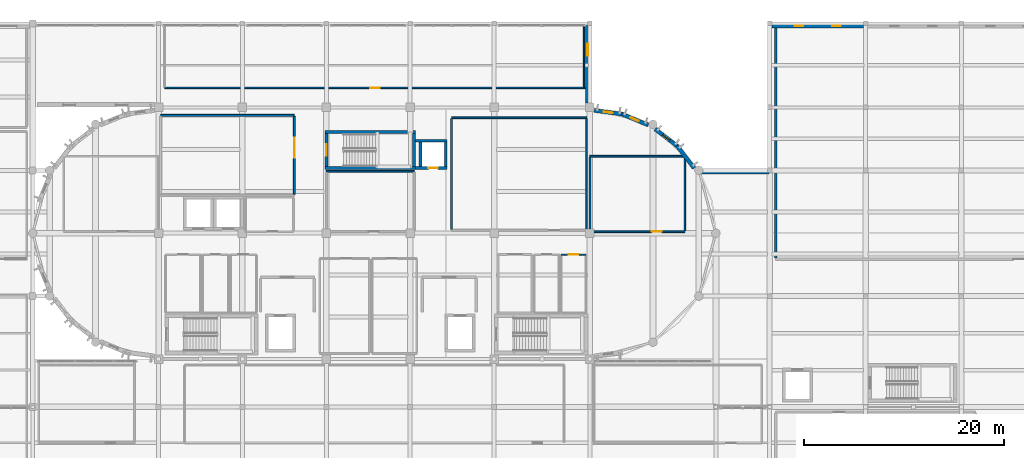
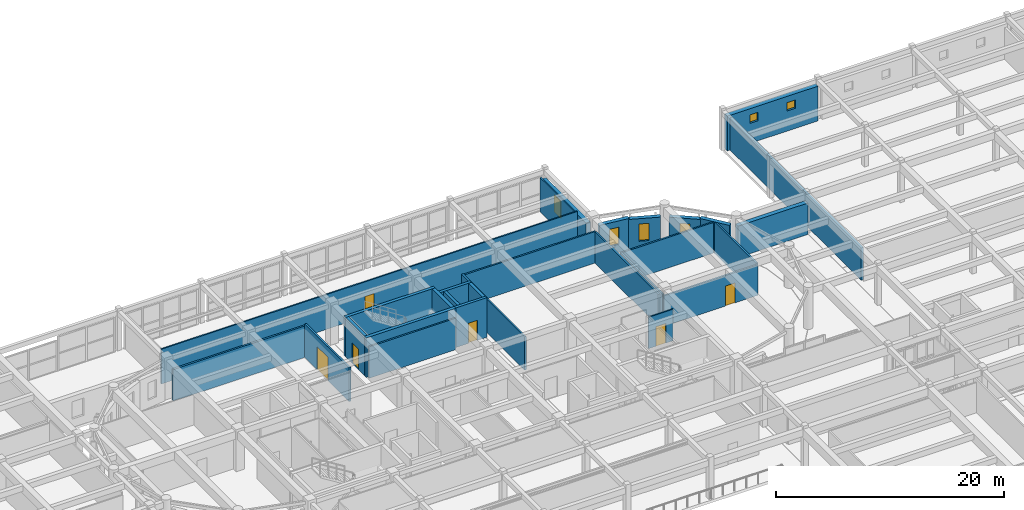
# One storey, part 71 of 92: 29 walls, 6 doors, 6 windows, 12 openings.
"""IFC4 building model written with IfcOpenShell, lengths in metres."""

import ifcopenshell
import ifcopenshell.guid

model = None  # the IFC model being written
_history = None  # IfcOwnerHistory: only IFC2X3 demands one
_inside = {}  # id of a spatial element -> (the spatial element, [elements in it])
_under = {}  # id of a project, library or spatial element -> (it, [spatial elements below it])
_declared = {}  # id of a project -> (the project, [libraries it declares])
_typed = {}  # id of a type object -> (the type object, [elements of that type])
_made_of = {}  # id of a material, layer set ... -> (it, [elements and type objects made of it])


def new_model(schema):
    """Start an empty IFC model of exactly this schema.

    Asked for "IFC4X3", IfcOpenShell would pick the latest addendum, in which some entities
    have other attributes; the version numbers below select the first issue.
    IFC2X3 requires an IfcOwnerHistory on every rooted entity: one is made here for all.
    """
    global model, _history
    if schema == "IFC4X3":
        model = ifcopenshell.file(schema_version=(4, 3, 0, 0))
    else:
        model = ifcopenshell.file(schema=schema)
    _inside.clear()
    _under.clear()
    _declared.clear()
    _typed.clear()
    _made_of.clear()
    _history = None
    if model.schema == "IFC2X3":
        org = make("IfcOrganization", Name="unknown")
        user = make(
            "IfcPersonAndOrganization",
            ThePerson=make("IfcPerson", FamilyName="unknown"),
            TheOrganization=org,
        )
        app = make(
            "IfcApplication",
            ApplicationDeveloper=org,
            Version="unknown",
            ApplicationFullName="unknown",
            ApplicationIdentifier="unknown",
        )
        _history = make(
            "IfcOwnerHistory",
            OwningUser=user,
            OwningApplication=app,
            ChangeAction="ADDED",
            CreationDate=0,
        )
    return model


def make(cls, **values):
    """One entity of the class cls with the attributes given. An attribute that is None is left unset."""
    return model.create_entity(
        cls, **{name: value for name, value in values.items() if value is not None}
    )


def rooted(cls, **values):
    """An entity with a GlobalId (a new one), such as an element, a storey or a relation."""
    return make(cls, GlobalId=ifcopenshell.guid.new(), OwnerHistory=_history, **values)


def si_unit(unit_type, name, prefix=None):
    """IfcSIUnit, for example si_unit("LENGTHUNIT", "METRE", prefix="MILLI")."""
    return make("IfcSIUnit", UnitType=unit_type, Prefix=prefix, Name=name)


def assignment(units):
    """IfcUnitAssignment: the units of a project."""
    return None if units is None else make("IfcUnitAssignment", Units=units)


def point(xyz):
    """IfcCartesianPoint."""
    return None if xyz is None else make("IfcCartesianPoint", Coordinates=xyz)


def direction(xyz):
    """IfcDirection."""
    return None if xyz is None else make("IfcDirection", DirectionRatios=xyz)


def frame(location, z_axis=None, x_axis=None):
    """IfcAxis2Placement3D, a coordinate frame: its origin and axes. An axis left out is left unset."""
    return make(
        "IfcAxis2Placement3D",
        Location=point(location),
        Axis=direction(z_axis),
        RefDirection=direction(x_axis),
    )


def frame_2d(location, x_axis=None):
    """IfcAxis2Placement2D, a coordinate frame in the plane: its origin and x axis."""
    return make(
        "IfcAxis2Placement2D", Location=point(location), RefDirection=direction(x_axis)
    )


def origin():
    """The frame at (0, 0, 0) with its axes left unset."""
    return frame((0.0, 0.0, 0.0))


def place(relative_to, where):
    """IfcLocalPlacement: puts the frame where relative to a parent placement (None: the world)."""
    return make(
        "IfcLocalPlacement", PlacementRelTo=relative_to, RelativePlacement=where
    )


def context(
    kind, dimensions, precision=None, world=None, true_north=None, identifier=None
):
    """IfcGeometricRepresentationContext, for example the 3D "Model" context."""
    return make(
        "IfcGeometricRepresentationContext",
        ContextIdentifier=identifier,
        ContextType=kind,
        CoordinateSpaceDimension=dimensions,
        Precision=precision,
        WorldCoordinateSystem=world,
        TrueNorth=true_north,
    )


def subcontext(parent, identifier, kind, view, scale=None):
    """IfcGeometricRepresentationSubContext, for example "Body" below "Model"."""
    return make(
        "IfcGeometricRepresentationSubContext",
        ContextIdentifier=identifier,
        ContextType=kind,
        ParentContext=parent,
        TargetScale=scale,
        TargetView=view,
    )


def project(units=None, contexts=None):
    """IfcProject with its units and contexts."""
    return rooted(
        "IfcProject",
        Name="project",
        RepresentationContexts=contexts,
        UnitsInContext=assignment(units),
    )


def spatial(cls, under=None, at=None, **own):
    """A site, building, storey or space (cls), placed at a placement, below another one or the project."""
    s = rooted(cls, ObjectPlacement=at, **own)
    if under is not None:
        _under.setdefault(under.id(), (under, []))[1].append(s)
    return s


def profile(cls, at=None, kind="AREA", **sizes):
    """A parametric profile (cls). Its sizes go by their IFC names, for example OverallWidth=200.0."""
    return make(cls, ProfileType=kind, Position=at, **sizes)


def rectangle(**sizes):
    """IfcRectangleProfileDef."""
    return profile("IfcRectangleProfileDef", **sizes)


def extrude(swept, where, along, depth):
    """IfcExtrudedAreaSolid: the profile swept, set in the frame where, extruded along a direction by depth."""
    return make(
        "IfcExtrudedAreaSolid",
        SweptArea=swept,
        Position=where,
        ExtrudedDirection=direction(along),
        Depth=depth,
    )


def shape(context_of_items, identifier, shape_type, items):
    """IfcShapeRepresentation: the items that make up one representation, for example the "Body"."""
    return make(
        "IfcShapeRepresentation",
        ContextOfItems=context_of_items,
        RepresentationIdentifier=identifier,
        RepresentationType=shape_type,
        Items=items,
    )


def material(Name=None, Category=None):
    """IfcMaterial."""
    return make("IfcMaterial", Name=Name, Category=Category)


def layer(
    of_material, thickness, ventilated=None, Name=None, Category=None, Priority=None
):
    """IfcMaterialLayer: one layer of a wall or slab, of a material (None: an air gap)."""
    return make(
        "IfcMaterialLayer",
        Material=of_material,
        LayerThickness=thickness,
        IsVentilated=ventilated,
        Name=Name,
        Category=Category,
        Priority=Priority,
    )


def layer_set(layers, Name=None):
    """IfcMaterialLayerSet."""
    return make("IfcMaterialLayerSet", MaterialLayers=layers, LayerSetName=Name)


def made_of(thing, what):
    """Note that an element or type object is made of a material, layer set ...; save() writes the relation."""
    if what is not None:
        _made_of.setdefault(what.id(), (what, []))[1].append(thing)
    return thing


def type_object(cls, material=None, **own):
    """A type object (cls), such as IfcWallType, which elements share."""
    return made_of(rooted(cls, **own), material)


def element(
    cls,
    number,
    at=None,
    inside=None,
    cuts=None,
    type_object=None,
    material=None,
    context=None,
    identifier="Body",
    shape_type=None,
    held_by="IfcProductDefinitionShape",
    body=None,
    shapes=None,
    **own,
):
    """One element of the class cls, such as IfcWall. Its Tag is "e" and its number.

    at: its placement. inside: the storey or other place that contains it. cuts: it is an
    opening in that element (IfcRelVoidsElement). A single representation is given by context,
    identifier, shape_type and body (its items); several are given by shapes. held_by: the class
    of the entity that holds the representations. save() writes the other relations.
    """
    e = rooted(cls, Tag="e%d" % number, ObjectPlacement=at, **own)
    if body is not None:
        shapes = [shape(context, identifier, shape_type, body)]
    if shapes is not None:
        e.Representation = make(held_by, Representations=shapes)
    if inside is not None:
        _inside.setdefault(inside.id(), (inside, []))[1].append(e)
    if cuts is not None:
        rooted(
            "IfcRelVoidsElement", RelatingBuildingElement=cuts, RelatedOpeningElement=e
        )
    if type_object is not None:
        _typed.setdefault(type_object.id(), (type_object, []))[1].append(e)
    return made_of(e, material)


def fill(opening, filler):
    """IfcRelFillsElement: the door or window that sits in an opening."""
    return rooted(
        "IfcRelFillsElement",
        RelatingOpeningElement=opening,
        RelatedBuildingElement=filler,
    )


def aggregate(whole, parts):
    """IfcRelAggregates: a whole, such as a stair, and the parts it consists of."""
    return rooted("IfcRelAggregates", RelatingObject=whole, RelatedObjects=parts)


def save(model, path):
    """Write the relations noted so far, then the file.

    IfcRelAggregates (storeys below a building ...), IfcRelContainedInSpatialStructure (elements
    in a storey), IfcRelDefinesByType, IfcRelAssociatesMaterial and IfcRelDeclares: one each for
    every whole, place, type object, material and project.
    """
    for whole, parts in _under.values():
        aggregate(whole, parts)
    for where, things in _inside.values():
        rooted(
            "IfcRelContainedInSpatialStructure",
            RelatedElements=things,
            RelatingStructure=where,
        )
    for kind, things in _typed.values():
        rooted("IfcRelDefinesByType", RelatedObjects=things, RelatingType=kind)
    for what, things in _made_of.values():
        rooted("IfcRelAssociatesMaterial", RelatedObjects=things, RelatingMaterial=what)
    for by, libraries in _declared.values():
        rooted("IfcRelDeclares", RelatingContext=by, RelatedDefinitions=libraries)
    model.write(path)


model = new_model("IFC4")

# Units and contexts
model_context = context("Model", 3, precision=1e-05, world=origin(), true_north=direction((0.0, 1.0)))
body_context = subcontext(model_context, "Body", "Model", "MODEL_VIEW")
ifc_project = project(units=[si_unit("LENGTHUNIT", "METRE"), si_unit("AREAUNIT", "SQUARE_METRE"), si_unit("VOLUMEUNIT", "CUBIC_METRE"), si_unit("PLANEANGLEUNIT", "RADIAN"), si_unit("MASSUNIT", "GRAM", prefix="KILO")], contexts=[model_context])

# Site, building, storey
site_placement = place(None, origin())
site = spatial("IfcSite", under=ifc_project, at=site_placement, CompositionType="ELEMENT")
building_placement = place(site_placement, origin())
building = spatial("IfcBuilding", under=site, at=building_placement, Name="Tarnavel Promenade Courthouse", CompositionType="ELEMENT")
storey_placement = place(building_placement, frame((0.0, 0.0, 5.39990234375)))
storey = spatial("IfcBuildingStorey", under=building, at=storey_placement, Name="L02", CompositionType="ELEMENT", Elevation=5.39990234375)

# Walls
ifc_material_1 = material(Name="Acoustic Insulated Gypsum Stud Partition", Category="gypsum")
ifc_layer_1 = layer(ifc_material_1, 0.1650390625)
ifc_layer_set_1 = layer_set([ifc_layer_1], Name="Acoustic Insulated Gypsum Stud Partition")
wall_type_1 = type_object("IfcWallType", Name="Acoustic Insulated Gypsum Stud Partition WL-CHM-165 (165 mm)", PredefinedType="PARTITIONING", material=ifc_layer_set_1)
wall_1_placement = place(storey_placement, frame((75.60009765625, 98.0, 0.0), z_axis=(0.0, 0.0, 1.0), x_axis=(1.0, 0.0, 0.0)))
element("IfcWall", 1, at=wall_1_placement, inside=storey, type_object=wall_type_1, Name="L02 L02 Judicial Panel Deliberation Salon Partition 0378", PredefinedType="PARTITIONING", context=body_context, shape_type="SweptSolid", body=[
    extrude(rectangle(XDim=8.7998046875, YDim=0.1650390625, at=frame_2d((4.39990234375, 0.0))), origin(), (0.0, 0.0, 1.0), 3.3701171875),
])
wall_2_placement = place(storey_placement, frame((88.139892578125, 103.360107421875, 0.0), z_axis=(0.0, 0.0, 1.0), x_axis=(1.0, 0.0, 0.0)))
element("IfcWall", 2, at=wall_2_placement, inside=storey, type_object=wall_type_1, Name="L02 Jury Room Central East Partition 0382", PredefinedType="PARTITIONING", context=body_context, shape_type="SweptSolid", body=[
    extrude(rectangle(XDim=13.52001953125, YDim=0.1650390625, at=frame_2d((6.760009765625, 0.0))), origin(), (0.0, 0.0, 1.0), 3.3701171875),
])
wall_3_placement = place(storey_placement, frame((88.139892578125, 92.1826171875, 0.0), z_axis=(0.0, 0.0, 1.0), x_axis=(0.0, 1.0, 0.0)))
element("IfcWall", 3, at=wall_3_placement, inside=storey, type_object=wall_type_1, Name="L02 Jury Room Central East Partition 0384", PredefinedType="PARTITIONING", context=body_context, shape_type="SweptSolid", body=[
    extrude(rectangle(XDim=11.0849609375, YDim=0.1650390625, at=frame_2d((5.54248046875, 0.0))), origin(), (0.0, 0.0, 1.0), 3.570068359375),
])
wall_4_placement = place(storey_placement, frame((101.659912109375, 103.267578125, 0.0), z_axis=(0.0, 0.0, 1.0), x_axis=(0.0, -1.0, 0.0)))
element("IfcWall", 4, at=wall_4_placement, inside=storey, type_object=wall_type_1, Name="L02 Jury Room Central East Partition 0385", PredefinedType="PARTITIONING", context=body_context, shape_type="SweptSolid", body=[
    extrude(rectangle(XDim=11.0849609375, YDim=0.1650390625, at=frame_2d((5.54248046875, 0.0))), origin(), (0.0, 0.0, 1.0), 3.3701171875),
])
wall_5_placement = place(storey_placement, frame((102.0, 99.5, 0.0), z_axis=(0.0, 0.0, 1.0), x_axis=(1.0, 0.0, 0.0)))
element("IfcWall", 5, at=wall_5_placement, inside=storey, type_object=wall_type_1, Name="L02 L02 East Drum Rotunda Jury North Partition 0398", PredefinedType="PARTITIONING", context=body_context, shape_type="SweptSolid", body=[
    extrude(rectangle(XDim=9.5, YDim=0.1650390625, at=frame_2d((4.75, 0.0))), origin(), (0.0, 0.0, 1.0), 3.27001953125),
])

# Wall, opening, door
wall_6_placement = place(storey_placement, frame((111.5, 91.949951171875, 0.0), z_axis=(0.0, 0.0, 1.0), x_axis=(-1.0, 0.0, 0.0)))
wall_6 = element("IfcWall", 6, at=wall_6_placement, inside=storey, type_object=wall_type_1, Name="L02 L02 East Drum Rotunda Jury North Partition 0399", PredefinedType="PARTITIONING", context=body_context, shape_type="SweptSolid", body=[
    extrude(rectangle(XDim=9.5, YDim=0.1650390625, at=frame_2d((4.75, 0.0))), origin(), (0.0, 0.0, 1.0), 3.27001953125),
])
opening_1_placement = place(wall_6_placement, frame((2.300048828125, 0.0, 0.0)))
opening_1 = element("IfcOpeningElement", 7, at=opening_1_placement, cuts=wall_6, Name="Opening ID-03", PredefinedType="OPENING", context=body_context, shape_type="SweptSolid", body=[
    extrude(rectangle(XDim=1.0, YDim=2.14990234375, at=frame_2d((0.5, 1.074951171875))), frame((0.0, 0.092529296875, 0.0), z_axis=(0.0, -1.0, 0.0), x_axis=(1.0, 0.0, 0.0)), (0.0, 0.0, 1.0), 0.18505859375),
])
ifc_material_2 = material(Name="Acoustic Solid-Core Oak Jury Room Door")
door_type_1 = type_object("IfcDoorType", Name="Acoustic Solid-Core Oak Jury Room Door (DR-JRY-1000x2150)", OperationType="NOTDEFINED", PredefinedType="DOOR", material=ifc_material_2)
door_1_placement = place(opening_1_placement, origin())
door_1 = element("IfcDoor", 8, at=door_1_placement, inside=storey, type_object=door_type_1, Name="L02 L02 East Drum Rotunda Jury North Door 0114", OperationType="SINGLE_SWING_RIGHT", OverallHeight=2.14990234375, OverallWidth=1.0, PredefinedType="DOOR", context=body_context, shape_type="SweptSolid", body=[
    extrude(rectangle(XDim=1.0, YDim=2.14990234375, at=frame_2d((0.5, 1.074951171875))), frame((0.0, 0.02490234375, 0.0), z_axis=(0.0, -1.0, 0.0), x_axis=(1.0, 0.0, 0.0)), (0.0, 0.0, 1.0), 0.050048828125),
])
fill(opening_1, door_1)

# Walls
for number, where, z_axis, x_axis, name in (
    (9, (102.0, 92.04248046875, 0.0), (0.0, 0.0, 1.0), (0.0, 1.0, 0.0), "L02 L02 East Drum Rotunda Jury North Partition 0400"),
    (10, (111.5, 99.407470703125, 0.0), (0.0, 0.0, 1.0), (0.0, -1.0, 0.0), "L02 L02 East Drum Rotunda Jury North Partition 0401"),
):
    element("IfcWall", number, at=place(storey_placement, frame(where, z_axis=z_axis, x_axis=x_axis)), inside=storey, type_object=wall_type_1, Name=name, PredefinedType="PARTITIONING", context=body_context, shape_type="SweptSolid", body=[
        extrude(rectangle(XDim=7.364990234375, YDim=0.1650390625, at=frame_2d((3.6826171875, 0.0))), origin(), (0.0, 0.0, 1.0), 3.3701171875),
    ])

# Wall, openings, windows
ifc_material_3 = material(Name="Concrete C40/50", Category="concrete")
ifc_layer_2 = layer(ifc_material_3, 0.4599609375)
ifc_layer_set_2 = layer_set([ifc_layer_2], Name="Concrete C40/50")
wall_type_2 = type_object("IfcWallType", Name="Concrete C40/50 WL-SEC-460 (460 mm)", PredefinedType="STANDARD", material=ifc_layer_set_2)
wall_7_placement = place(storey_placement, frame((120.2119140625, 112.56005859375, 0.0), z_axis=(0.0, 0.0, 1.0), x_axis=(1.0, 0.0, 0.0)))
wall_7 = element("IfcWall", 11, at=wall_7_placement, inside=storey, type_object=wall_type_2, Name="L02 Custody Block North Security Wall 0412", PredefinedType="STANDARD", context=body_context, shape_type="SweptSolid", body=[
    extrude(rectangle(XDim=9.171142578125, YDim=0.4599609375, at=frame_2d((4.58544921875, 0.0))), origin(), (0.0, 0.0, 1.0), 3.72021484375),
])
opening_2_placement = place(wall_7_placement, frame((2.278076171875, 0.0, 2.14990234375)))
opening_2 = element("IfcOpeningElement", 12, at=opening_2_placement, cuts=wall_7, Name="Opening W-11", PredefinedType="OPENING", context=body_context, shape_type="SweptSolid", body=[
    extrude(rectangle(XDim=0.85009765625, YDim=0.89990234375, at=frame_2d((0.425048828125, 0.449951171875))), frame((0.0, 0.239990234375, 0.0), z_axis=(0.0, -1.0, 0.0), x_axis=(1.0, 0.0, 0.0)), (0.0, 0.0, 1.0), 0.47998046875),
])
opening_3_placement = place(wall_7_placement, frame((6.048095703125, 0.0, 2.14990234375)))
opening_3 = element("IfcOpeningElement", 13, at=opening_3_placement, cuts=wall_7, Name="Opening W-11", PredefinedType="OPENING", context=body_context, shape_type="SweptSolid", body=[
    extrude(rectangle(XDim=0.85009765625, YDim=0.89990234375, at=frame_2d((0.425048828125, 0.449951171875))), frame((0.0, 0.239990234375, 0.0), z_axis=(0.0, -1.0, 0.0), x_axis=(1.0, 0.0, 0.0)), (0.0, 0.0, 1.0), 0.47998046875),
])
ifc_material_4 = material(Name="Triple Low-E Glazed Bronze-Clad Window Assembly")
window_type_1 = type_object("IfcWindowType", Name="Triple-Glazed Bronze-Clad Timber-Aluminium WIN-CUS-0850x0900", PartitioningType="SINGLE_PANEL", PredefinedType="WINDOW", material=ifc_material_4)
window_1_placement = place(opening_2_placement, origin())
window_1 = element("IfcWindow", 14, at=window_1_placement, inside=storey, type_object=window_type_1, Name="L02 Exterior Window 0503", OverallHeight=0.89990234375, OverallWidth=0.85009765625, PartitioningType="SINGLE_PANEL", PredefinedType="WINDOW", context=body_context, shape_type="SweptSolid", body=[
    extrude(rectangle(XDim=0.85009765625, YDim=0.89990234375, at=frame_2d((0.425048828125, 0.449951171875))), frame((0.0, 0.030029296875, 0.0), z_axis=(0.0, -1.0, 0.0), x_axis=(1.0, 0.0, 0.0)), (0.0, 0.0, 1.0), 0.06005859375),
])
fill(opening_2, window_1)
window_2_placement = place(opening_3_placement, origin())
window_2 = element("IfcWindow", 15, at=window_2_placement, inside=storey, type_object=window_type_1, Name="L02 Exterior Window 0504", OverallHeight=0.89990234375, OverallWidth=0.85009765625, PartitioningType="SINGLE_PANEL", PredefinedType="WINDOW", context=body_context, shape_type="SweptSolid", body=[
    extrude(rectangle(XDim=0.85009765625, YDim=0.89990234375, at=frame_2d((0.425048828125, 0.449951171875))), frame((0.0, 0.030029296875, 0.0), z_axis=(0.0, -1.0, 0.0), x_axis=(1.0, 0.0, 0.0)), (0.0, 0.0, 1.0), 0.06005859375),
])
fill(opening_3, window_2)

# Wall
ifc_layer_3 = layer(ifc_material_3, 0.280029296875)
ifc_layer_set_3 = layer_set([ifc_layer_3], Name="Concrete C40/50")
wall_type_3 = type_object("IfcWallType", Name="Concrete C40/50 WL-SHR-280 (280 mm)", PredefinedType="SHEAR", material=ifc_layer_set_3)
wall_8_placement = place(storey_placement, frame((84.5400390625, 101.06005859375, 0.0), z_axis=(0.0, 0.0, 1.0), x_axis=(1.0, 0.0, 0.0)))
element("IfcWall", 16, at=wall_8_placement, inside=storey, type_object=wall_type_3, Name="L02 L-JUD1 Lift Shaft North Wall", PredefinedType="SHEAR", context=body_context, shape_type="SweptSolid", body=[
    extrude(rectangle(XDim=3.159912109375, YDim=0.280029296875, at=frame_2d((1.580078125, 0.0))), origin(), (0.0, 0.0, 1.0), 4.239990234375),
])

# Wall, opening, door
wall_9_placement = place(storey_placement, frame((87.699951171875, 98.340087890625, 0.0), z_axis=(0.0, 0.0, 1.0), x_axis=(-1.0, 0.0, 0.0)))
wall_9 = element("IfcWall", 17, at=wall_9_placement, inside=storey, type_object=wall_type_3, Name="L02 L-JUD1 Lift Shaft South Wall", PredefinedType="SHEAR", context=body_context, shape_type="SweptSolid", body=[
    extrude(rectangle(XDim=3.159912109375, YDim=0.280029296875, at=frame_2d((1.580078125, 0.0))), origin(), (0.0, 0.0, 1.0), 4.239990234375),
])
opening_4_placement = place(wall_9_placement, frame((0.925048828125, 0.0, 0.0)))
opening_4 = element("IfcOpeningElement", 18, at=opening_4_placement, cuts=wall_9, Name="Opening LD-03", PredefinedType="OPENING", context=body_context, shape_type="SweptSolid", body=[
    extrude(rectangle(XDim=0.949951171875, YDim=2.14990234375, at=frame_2d((0.47509765625, 1.074951171875))), frame((0.0, 0.14990234375, 0.0), z_axis=(0.0, -1.0, 0.0), x_axis=(1.0, 0.0, 0.0)), (0.0, 0.0, 1.0), 0.300048828125),
])
ifc_material_5 = material(Name="Stainless Steel Judicial Lift Landing Sliding Door", Category="steel")
door_type_2 = type_object("IfcDoorType", Name="Stainless Steel Judicial Lift Landing Sliding Door (LD-JUD-0950x2150)", OperationType="NOTDEFINED", PredefinedType="DOOR", material=ifc_material_5)
door_2_placement = place(opening_4_placement, origin())
door_2 = element("IfcDoor", 19, at=door_2_placement, inside=storey, type_object=door_type_2, Name="L02 L-JUD1 Lift Sliding Landing Door", OperationType="DOUBLE_DOOR_SLIDING", OverallHeight=2.14990234375, OverallWidth=0.949951171875, PredefinedType="DOOR", context=body_context, shape_type="SweptSolid", body=[
    extrude(rectangle(XDim=0.949951171875, YDim=2.14990234375, at=frame_2d((0.47509765625, 1.074951171875))), frame((0.0, 0.02490234375, 0.0), z_axis=(0.0, -1.0, 0.0), x_axis=(1.0, 0.0, 0.0)), (0.0, 0.0, 1.0), 0.050048828125),
])
fill(opening_4, door_2)

# Walls
for number, where, z_axis, x_axis, name in (
    (20, (85.0400390625, 98.47998046875, 0.0), (0.0, 0.0, 1.0), (0.0, 1.0, 0.0), "L02 L-JUD1 Lift Shaft West Wall"),
    (21, (87.56005859375, 100.919921875, 0.0), (0.0, 0.0, 1.0), (0.0, -1.0, 0.0), "L02 L-JUD1 Lift Shaft East Wall"),
):
    element("IfcWall", number, at=place(storey_placement, frame(where, z_axis=z_axis, x_axis=x_axis)), inside=storey, type_object=wall_type_3, Name=name, PredefinedType="SHEAR", context=body_context, shape_type="SweptSolid", body=[
        extrude(rectangle(XDim=2.43994140625, YDim=0.280029296875, at=frame_2d((1.219970703125, 0.0))), origin(), (0.0, 0.0, 1.0), 4.239990234375),
    ])
ifc_layer_4 = layer(ifc_material_3, 0.320068359375)
ifc_layer_set_4 = layer_set([ifc_layer_4], Name="Concrete C40/50")
wall_type_4 = type_object("IfcWallType", Name="Concrete C40/50 WL-SHR-320 (320 mm)", PredefinedType="SHEAR", material=ifc_layer_set_4)
for number, where, z_axis, x_axis, name in (
    (22, (75.4599609375, 101.919921875, 0.0), (0.0, 0.0, 1.0), (1.0, 0.0, 0.0), "L02 ST-03 Shear Core North Wall"),
    (23, (84.5400390625, 98.320068359375, 0.0), (0.0, 0.0, 1.0), (-1.0, 0.0, 0.0), "L02 ST-03 Shear Core South Wall"),
):
    element("IfcWall", number, at=place(storey_placement, frame(where, z_axis=z_axis, x_axis=x_axis)), inside=storey, type_object=wall_type_4, Name=name, PredefinedType="SHEAR", context=body_context, shape_type="SweptSolid", body=[
        extrude(rectangle(XDim=9.080078125, YDim=0.320068359375, at=frame_2d((4.5400390625, 0.0))), origin(), (0.0, 0.0, 1.0), 4.239990234375),
    ])

# Wall, opening, door
wall_10_placement = place(storey_placement, frame((75.6201171875, 98.47998046875, 0.0), z_axis=(0.0, 0.0, 1.0), x_axis=(0.0, 1.0, 0.0)))
wall_10 = element("IfcWall", 24, at=wall_10_placement, inside=storey, type_object=wall_type_4, Name="L02 ST-03 Shear Core West Landing Wall", PredefinedType="SHEAR", context=body_context, shape_type="SweptSolid", body=[
    extrude(rectangle(XDim=3.280029296875, YDim=0.320068359375, at=frame_2d((1.64013671875, 0.0))), origin(), (0.0, 0.0, 1.0), 4.239990234375),
])
opening_5_placement = place(wall_10_placement, frame((1.06494140625, 0.0, 0.0)))
opening_5 = element("IfcOpeningElement", 25, at=opening_5_placement, cuts=wall_10, Name="Opening FD-01", PredefinedType="OPENING", context=body_context, shape_type="SweptSolid", body=[
    extrude(rectangle(XDim=1.14990234375, YDim=2.199951171875, at=frame_2d((0.574951171875, 1.10009765625))), frame((0.0, 0.169921875, 0.0), z_axis=(0.0, -1.0, 0.0), x_axis=(1.0, 0.0, 0.0)), (0.0, 0.0, 1.0), 0.340087890625),
])
ifc_material_6 = material(Name="Steel Fire-Rated Stair Core Door", Category="steel")
door_type_3 = type_object("IfcDoorType", Name="Steel Fire-Rated Stair Core Door (DR-ST-1150x2200)", OperationType="NOTDEFINED", PredefinedType="DOOR", material=ifc_material_6)
door_3_placement = place(opening_5_placement, origin())
door_3 = element("IfcDoor", 26, at=door_3_placement, inside=storey, type_object=door_type_3, Name="L02 ST-03 Protected Exit Stair Door", OperationType="SINGLE_SWING_RIGHT", OverallHeight=2.199951171875, OverallWidth=1.14990234375, PredefinedType="DOOR", context=body_context, shape_type="SweptSolid", body=[
    extrude(rectangle(XDim=1.14990234375, YDim=2.199951171875, at=frame_2d((0.574951171875, 1.10009765625))), frame((0.0, 0.02490234375, 0.0), z_axis=(0.0, -1.0, 0.0), x_axis=(1.0, 0.0, 0.0)), (0.0, 0.0, 1.0), 0.050048828125),
])
fill(opening_5, door_3)

# Walls
wall_11_placement = place(storey_placement, frame((84.3798828125, 101.760009765625, 0.0), z_axis=(0.0, 0.0, 1.0), x_axis=(0.0, -1.0, 0.0)))
element("IfcWall", 27, at=wall_11_placement, inside=storey, type_object=wall_type_4, Name="L02 ST-03 Shear Core East Wall", PredefinedType="SHEAR", context=body_context, shape_type="SweptSolid", body=[
    extrude(rectangle(XDim=3.280029296875, YDim=0.320068359375, at=frame_2d((1.64013671875, 0.0))), origin(), (0.0, 0.0, 1.0), 4.239990234375),
])
ifc_material_7 = material(Name="Concrete Masonry Fire Compartment Wall", Category="masonry")
ifc_layer_5 = layer(ifc_material_7, 0.22998046875)
ifc_layer_set_5 = layer_set([ifc_layer_5], Name="Concrete Masonry Fire Compartment Wall")
wall_type_5 = type_object("IfcWallType", Name="Concrete Masonry Fire Compartment Wall WL-CMP-230 (230 mm)", PredefinedType="STANDARD", material=ifc_layer_set_5)
wall_12_placement = place(storey_placement, frame((120.60009765625, 89.324951171875, 0.0), z_axis=(0.0, 0.0, 1.0), x_axis=(0.0, 1.0, 0.0)))
element("IfcWall", 28, at=wall_12_placement, inside=storey, type_object=wall_type_5, Name="L02 Court Security Control and Marshals' Briefing Room Partition 0368", PredefinedType="STANDARD", context=body_context, shape_type="SweptSolid", body=[
    extrude(rectangle(XDim=23.010986328125, YDim=0.22998046875, at=frame_2d((11.50537109375, 0.0))), origin(), (0.0, 0.0, 1.0), 3.47021484375),
])
ifc_material_8 = material(Name="Double-Stud Acoustic Courtroom Partition Assembly", Category="gypsum")
ifc_layer_6 = layer(ifc_material_8, 0.18505859375)
ifc_layer_set_6 = layer_set([ifc_layer_6], Name="Double-Stud Acoustic Courtroom Partition Assembly")
wall_type_6 = type_object("IfcWallType", Name="Double-Stud Acoustic Courtroom Partition Assembly WL-CRT-185 (185 mm)", PredefinedType="PARTITIONING", material=ifc_layer_set_6)
wall_13_placement = place(storey_placement, frame((59.0, 103.60009765625, 0.0), z_axis=(0.0, 0.0, 1.0), x_axis=(1.0, 0.0, 0.0)))
element("IfcWall", 29, at=wall_13_placement, inside=storey, type_object=wall_type_6, Name="L02 District Motion Hearing Courtroom Partition 0370", PredefinedType="PARTITIONING", context=body_context, shape_type="SweptSolid", body=[
    extrude(rectangle(XDim=13.39990234375, YDim=0.18505859375, at=frame_2d((6.699951171875, 0.0))), origin(), (0.0, 0.0, 1.0), 3.3701171875),
])

# Wall, opening, door
wall_14_placement = place(storey_placement, frame((72.39990234375, 103.49755859375, 0.0), z_axis=(0.0, 0.0, 1.0), x_axis=(0.0, -1.0, 0.0)))
wall_14 = element("IfcWall", 30, at=wall_14_placement, inside=storey, type_object=wall_type_6, Name="L02 District Motion Hearing Courtroom Partition 0373", PredefinedType="PARTITIONING", context=body_context, shape_type="SweptSolid", body=[
    extrude(rectangle(XDim=7.795166015625, YDim=0.18505859375, at=frame_2d((3.8974609375, 0.0))), origin(), (0.0, 0.0, 1.0), 3.6201171875),
])
opening_6_placement = place(wall_14_placement, frame((2.13330078125, 0.0, 0.0)))
opening_6 = element("IfcOpeningElement", 31, at=opening_6_placement, cuts=wall_14, Name="Opening ID-01", PredefinedType="OPENING", context=body_context, shape_type="SweptSolid", body=[
    extrude(rectangle(XDim=2.0, YDim=2.5, at=frame_2d((1.0, 1.25))), frame((0.0, 0.1025390625, 0.0), z_axis=(0.0, -1.0, 0.0), x_axis=(1.0, 0.0, 0.0)), (0.0, 0.0, 1.0), 0.205078125),
])
ifc_material_9 = material(Name="Solid Oak Acoustic Courtroom Double Door")
door_type_4 = type_object("IfcDoorType", Name="Solid Oak Acoustic Courtroom Double Door (DR-CRT-2000x2500)", OperationType="NOTDEFINED", PredefinedType="DOOR", material=ifc_material_9)
door_4_placement = place(opening_6_placement, origin())
door_4 = element("IfcDoor", 32, at=door_4_placement, inside=storey, type_object=door_type_4, Name="L02 District Motion Hearing Courtroom Door 0107", OperationType="DOUBLE_DOOR_SINGLE_SWING", OverallHeight=2.5, OverallWidth=2.0, PredefinedType="DOOR", context=body_context, shape_type="SweptSolid", body=[
    extrude(rectangle(XDim=2.0, YDim=2.5, at=frame_2d((1.0, 1.25))), frame((0.0, 0.02490234375, 0.0), z_axis=(0.0, -1.0, 0.0), x_axis=(1.0, 0.0, 0.0)), (0.0, 0.0, 1.0), 0.050048828125),
])
fill(opening_6, door_4)

# Wall, opening, window
ifc_material_10 = material(Name="Limestone Ashlar Faced Insulated Brick Masonry", Category="masonry")
ifc_layer_7 = layer(ifc_material_10, 0.43994140625)
ifc_layer_set_7 = layer_set([ifc_layer_7], Name="Limestone Ashlar Faced Insulated Brick Masonry")
wall_type_7 = type_object("IfcWallType", Name="Limestone Ashlar Faced Insulated Brick Masonry WL-EXT-440 (440 mm)", PredefinedType="STANDARD", material=ifc_layer_set_7)
wall_15_placement = place(storey_placement, frame((101.780029296875, 112.5830078125, 0.0), z_axis=(0.0, 0.0, 1.0), x_axis=(0.0, -1.0, 0.0)))
wall_15 = element("IfcWall", 33, at=wall_15_placement, inside=storey, type_object=wall_type_7, Name="L02 North Foyer East Return Wall 0041", PredefinedType="STANDARD", context=body_context, shape_type="SweptSolid", body=[
    extrude(rectangle(XDim=7.76611328125, YDim=0.43994140625, at=frame_2d((3.883056640625, 0.0))), origin(), (0.0, 0.0, 1.0), 3.3701171875),
])
opening_7_placement = place(wall_15_placement, frame((1.80810546875, 0.0, 0.89990234375)))
opening_7 = element("IfcOpeningElement", 34, at=opening_7_placement, cuts=wall_15, Name="Opening W-05", PredefinedType="OPENING", context=body_context, shape_type="SweptSolid", body=[
    extrude(rectangle(XDim=1.199951171875, YDim=1.85009765625, at=frame_2d((0.60009765625, 0.925048828125))), frame((0.0, 0.22998046875, 0.0), z_axis=(0.0, -1.0, 0.0), x_axis=(1.0, 0.0, 0.0)), (0.0, 0.0, 1.0), 0.4599609375),
])
window_type_2 = type_object("IfcWindowType", Name="Triple-Glazed Bronze-Clad Timber-Aluminium WIN-CHM-1200x1850", PartitioningType="SINGLE_PANEL", PredefinedType="WINDOW", material=ifc_material_4)
window_3_placement = place(opening_7_placement, origin())
window_3 = element("IfcWindow", 35, at=window_3_placement, inside=storey, type_object=window_type_2, Name="L02 Exterior Window 0019", OverallHeight=1.85009765625, OverallWidth=1.199951171875, PartitioningType="SINGLE_PANEL", PredefinedType="WINDOW", context=body_context, shape_type="SweptSolid", body=[
    extrude(rectangle(XDim=1.199951171875, YDim=1.85009765625, at=frame_2d((0.60009765625, 0.925048828125))), frame((0.0, 0.030029296875, 0.0), z_axis=(0.0, -1.0, 0.0), x_axis=(1.0, 0.0, 0.0)), (0.0, 0.0, 1.0), 0.06005859375),
])
fill(opening_7, window_3)

# Wall
wall_16_placement = place(storey_placement, frame((112.85009765625, 97.949951171875, 0.0), z_axis=(0.0, 0.0, 1.0), x_axis=(1.0, 0.0, 0.0)))
element("IfcWall", 36, at=wall_16_placement, inside=storey, type_object=wall_type_7, Name="L02 East Custody Link Neck North Wall 0439", PredefinedType="STANDARD", context=body_context, shape_type="SweptSolid", body=[
    extrude(rectangle(XDim=7.099853515625, YDim=0.43994140625, at=frame_2d((3.5498046875, 0.0))), origin(), (0.0, 0.0, 1.0), 3.3701171875),
])

# Wall, opening, door
ifc_material_11 = material(Name="Metal-Stud Acoustic Gypsum Partition", Category="gypsum")
ifc_layer_8 = layer(ifc_material_11, 0.135009765625)
ifc_layer_set_8 = layer_set([ifc_layer_8], Name="Metal-Stud Acoustic Gypsum Partition")
wall_type_8 = type_object("IfcWallType", Name="Metal-Stud Acoustic Gypsum Partition WL-OFF-135 (135 mm)", PredefinedType="PARTITIONING", material=ifc_layer_set_8)
wall_17_placement = place(storey_placement, frame((101.56591796875, 106.35009765625, 0.0), z_axis=(0.0, 0.0, 1.0), x_axis=(-1.0, 0.0, 0.0)))
wall_17 = element("IfcWall", 37, at=wall_17_placement, inside=storey, type_object=wall_type_8, Name="L02 First Balcony Case Management Clerks' Office Partition 0350", PredefinedType="PARTITIONING", context=body_context, shape_type="SweptSolid", body=[
    extrude(rectangle(XDim=42.166015625, YDim=0.135009765625, at=frame_2d((21.0830078125, 0.0))), origin(), (0.0, 0.0, 1.0), 3.72021484375),
])
opening_8_placement = place(wall_17_placement, frame((20.60791015625, 0.0, 0.0)))
opening_8 = element("IfcOpeningElement", 38, at=opening_8_placement, cuts=wall_17, Name="Opening ID-06", PredefinedType="OPENING", context=body_context, shape_type="SweptSolid", body=[
    extrude(rectangle(XDim=0.949951171875, YDim=2.14990234375, at=frame_2d((0.47509765625, 1.074951171875))), frame((0.0, 0.077392578125, 0.0), z_axis=(0.0, -1.0, 0.0), x_axis=(1.0, 0.0, 0.0)), (0.0, 0.0, 1.0), 0.155029296875),
])
ifc_material_12 = material(Name="Acoustic Timber Veneer Office Door", Category="wood")
door_type_5 = type_object("IfcDoorType", Name="Acoustic Timber Veneer Office Door (DR-OFF-0950x2150)", OperationType="NOTDEFINED", PredefinedType="DOOR", material=ifc_material_12)
door_5_placement = place(opening_8_placement, origin())
door_5 = element("IfcDoor", 39, at=door_5_placement, inside=storey, type_object=door_type_5, Name="L02 First Balcony Case Management Clerks' Office Door 0100", OperationType="SINGLE_SWING_RIGHT", OverallHeight=2.14990234375, OverallWidth=0.949951171875, PredefinedType="DOOR", context=body_context, shape_type="SweptSolid", body=[
    extrude(rectangle(XDim=0.949951171875, YDim=2.14990234375, at=frame_2d((0.47509765625, 1.074951171875))), frame((0.0, 0.02490234375, 0.0), z_axis=(0.0, -1.0, 0.0), x_axis=(1.0, 0.0, 0.0)), (0.0, 0.0, 1.0), 0.050048828125),
])
fill(opening_8, door_5)

# Wall
wall_18_placement = place(storey_placement, frame((101.39990234375, 112.489990234375, 0.0), z_axis=(0.0, 0.0, 1.0), x_axis=(0.0, -1.0, 0.0)))
element("IfcWall", 40, at=wall_18_placement, inside=storey, type_object=wall_type_8, Name="L02 First Balcony Case Management Clerks' Office Partition 0352", PredefinedType="PARTITIONING", context=body_context, shape_type="SweptSolid", body=[
    extrude(rectangle(XDim=6.0625, YDim=0.135009765625, at=frame_2d((3.03125, 0.0))), origin(), (0.0, 0.0, 1.0), 3.670166015625),
])

# Wall, opening, door
ifc_material_13 = material(Name="Moisture-Resistant Tile-Backed Stud Partition", Category="gypsum")
ifc_layer_9 = layer(ifc_material_13, 0.125)
ifc_layer_set_9 = layer_set([ifc_layer_9], Name="Moisture-Resistant Tile-Backed Stud Partition")
wall_type_9 = type_object("IfcWallType", Name="Moisture-Resistant Tile-Backed Stud Partition WL-WET-125 (125 mm)", PredefinedType="PARTITIONING", material=ifc_layer_set_9)
wall_19_placement = place(storey_placement, frame((99.10009765625, 89.64990234375, 0.0), z_axis=(0.0, 0.0, 1.0), x_axis=(1.0, 0.0, 0.0)))
wall_19 = element("IfcWall", 41, at=wall_19_placement, inside=storey, type_object=wall_type_9, Name="L02 Accessible Staff WC Partition 0266", PredefinedType="PARTITIONING", context=body_context, shape_type="SweptSolid", body=[
    extrude(rectangle(XDim=2.5, YDim=0.125, at=frame_2d((1.25, 0.0))), origin(), (0.0, 0.0, 1.0), 3.3701171875),
])
opening_9_placement = place(wall_19_placement, frame((0.75, 0.0, 0.0)))
opening_9 = element("IfcOpeningElement", 42, at=opening_9_placement, cuts=wall_19, Name="Opening ID-09", PredefinedType="OPENING", context=body_context, shape_type="SweptSolid", body=[
    extrude(rectangle(XDim=1.0, YDim=2.10009765625, at=frame_2d((0.5, 1.050048828125))), frame((0.0, 0.072509765625, 0.0), z_axis=(0.0, -1.0, 0.0), x_axis=(1.0, 0.0, 0.0)), (0.0, 0.0, 1.0), 0.14501953125),
])
ifc_material_14 = material(Name="Wide Accessible Restroom Outward Door")
door_type_6 = type_object("IfcDoorType", Name="Wide Accessible Restroom Outward Door (DR-AWC-1000x2100)", OperationType="NOTDEFINED", PredefinedType="DOOR", material=ifc_material_14)
door_6_placement = place(opening_9_placement, origin())
door_6 = element("IfcDoor", 43, at=door_6_placement, inside=storey, type_object=door_type_6, Name="L02 Accessible Staff WC Door 0076", OperationType="SINGLE_SWING_RIGHT", OverallHeight=2.10009765625, OverallWidth=1.0, PredefinedType="DOOR", context=body_context, shape_type="SweptSolid", body=[
    extrude(rectangle(XDim=1.0, YDim=2.10009765625, at=frame_2d((0.5, 1.050048828125))), frame((0.0, 0.02490234375, 0.0), z_axis=(0.0, -1.0, 0.0), x_axis=(1.0, 0.0, 0.0)), (0.0, 0.0, 1.0), 0.050048828125),
])
fill(opening_9, door_6)

# Wall
ifc_material_15 = material(Name="Patinated Copper-Bronze Insulated Drum Wall Assembly", Category="masonry")
ifc_layer_10 = layer(ifc_material_15, 0.39501953125)
ifc_layer_set_10 = layer_set([ifc_layer_10], Name="Patinated Copper-Bronze Insulated Drum Wall Assembly")
wall_type_10 = type_object("IfcWallType", Name="Patinated Copper-Bronze Insulated Drum Wall Assembly WL-DRUM-395 (395 mm)", PredefinedType="ELEMENTEDWALL", material=ifc_layer_set_10)
wall_20_placement = place(storey_placement, frame((112.430419921875, 98.316650390625, 0.0), z_axis=(0.0, 0.0, 1.0), x_axis=(-0.608732750311, 0.793375345407, 0.0)))
element("IfcWall", 44, at=wall_20_placement, inside=storey, type_object=wall_type_10, Name="L02 E Copper Drum Chord Wall 09 0053", PredefinedType="ELEMENTEDWALL", context=body_context, shape_type="SweptSolid", body=[
    extrude(rectangle(XDim=2.82421875, YDim=0.39501953125, at=frame_2d((1.412109375, 0.0))), origin(), (0.0, 0.0, 1.0), 3.3701171875),
])

# Wall, opening, window
wall_21_placement = place(storey_placement, frame((110.75732421875, 100.51123046875, 0.0), z_axis=(0.0, 0.0, 1.0), x_axis=(-0.793375345407, 0.608732750311, 0.0)))
wall_21 = element("IfcWall", 45, at=wall_21_placement, inside=storey, type_object=wall_type_10, Name="L02 E Copper Drum Chord Wall 10 0054", PredefinedType="ELEMENTEDWALL", context=body_context, shape_type="SweptSolid", body=[
    extrude(rectangle(XDim=2.82421875, YDim=0.39501953125, at=frame_2d((1.412109375, 0.0))), origin(), (0.0, 0.0, 1.0), 3.27001953125),
])
opening_10_placement = place(wall_21_placement, frame((0.962158203125, 0.0, 0.85009765625)))
opening_10 = element("IfcOpeningElement", 46, at=opening_10_placement, cuts=wall_21, Name="Opening W-08", PredefinedType="OPENING", context=body_context, shape_type="SweptSolid", body=[
    extrude(rectangle(XDim=0.89990234375, YDim=1.85009765625, at=frame_2d((0.449951171875, 0.925048828125))), frame((0.0, 0.20751953125, 0.0), z_axis=(0.0, -1.0, 0.0), x_axis=(1.0, 0.0, 0.0)), (0.0, 0.0, 1.0), 0.4150390625),
])
window_type_3 = type_object("IfcWindowType", Name="Triple-Glazed Bronze-Clad Timber-Aluminium WIN-DRM-0900x1850", PartitioningType="SINGLE_PANEL", PredefinedType="WINDOW", material=ifc_material_4)
window_4_placement = place(opening_10_placement, origin())
window_4 = element("IfcWindow", 47, at=window_4_placement, inside=storey, type_object=window_type_3, Name="L02 Exterior Window 0029", OverallHeight=1.85009765625, OverallWidth=0.89990234375, PartitioningType="SINGLE_PANEL", PredefinedType="WINDOW", context=body_context, shape_type="SweptSolid", body=[
    extrude(rectangle(XDim=0.89990234375, YDim=1.85009765625, at=frame_2d((0.449951171875, 0.925048828125))), frame((0.0, 0.030029296875, 0.0), z_axis=(0.0, -1.0, 0.0), x_axis=(1.0, 0.0, 0.0)), (0.0, 0.0, 1.0), 0.06005859375),
])
fill(opening_10, window_4)

wall_22_placement = place(storey_placement, frame((107.83740234375, 102.6328125, 0.0), z_axis=(0.0, 0.0, 1.0), x_axis=(-0.923854257916, 0.382744444937, 0.0)))
wall_22 = element("IfcWall", 48, at=wall_22_placement, inside=storey, type_object=wall_type_10, Name="L02 E Copper Drum Chord Wall 11 0055", PredefinedType="ELEMENTEDWALL", context=body_context, shape_type="SweptSolid", body=[
    extrude(rectangle(XDim=2.89208984375, YDim=0.39501953125, at=frame_2d((1.446044921875, 0.0))), origin(), (0.0, 0.0, 1.0), 3.27001953125),
])
opening_11_placement = place(wall_22_placement, frame((1.030029296875, 0.0, 0.85009765625)))
opening_11 = element("IfcOpeningElement", 49, at=opening_11_placement, cuts=wall_22, Name="Opening W-08", PredefinedType="OPENING", context=body_context, shape_type="SweptSolid", body=[
    extrude(rectangle(XDim=0.89990234375, YDim=1.85009765625, at=frame_2d((0.449951171875, 0.925048828125))), frame((0.0, 0.20751953125, 0.0), z_axis=(0.0, -1.0, 0.0), x_axis=(1.0, 0.0, 0.0)), (0.0, 0.0, 1.0), 0.4150390625),
])
window_5_placement = place(opening_11_placement, origin())
window_5 = element("IfcWindow", 50, at=window_5_placement, inside=storey, type_object=window_type_3, Name="L02 Exterior Window 0030", OverallHeight=1.85009765625, OverallWidth=0.89990234375, PartitioningType="SINGLE_PANEL", PredefinedType="WINDOW", context=body_context, shape_type="SweptSolid", body=[
    extrude(rectangle(XDim=0.89990234375, YDim=1.85009765625, at=frame_2d((0.449951171875, 0.925048828125))), frame((0.0, 0.030029296875, 0.0), z_axis=(0.0, -1.0, 0.0), x_axis=(1.0, 0.0, 0.0)), (0.0, 0.0, 1.0), 0.06005859375),
])
fill(opening_11, window_5)

wall_23_placement = place(storey_placement, frame((105.228515625, 103.722900390625, 0.0), z_axis=(0.0, 0.0, 1.0), x_axis=(-0.991455178228, 0.130447803989, 0.0)))
wall_23 = element("IfcWall", 51, at=wall_23_placement, inside=storey, type_object=wall_type_10, Name="L02 E Copper Drum Chord Wall 12 0056", PredefinedType="ELEMENTEDWALL", context=body_context, shape_type="SweptSolid", body=[
    extrude(rectangle(XDim=2.82421875, YDim=0.39501953125, at=frame_2d((1.412109375, 0.0))), origin(), (0.0, 0.0, 1.0), 3.3701171875),
])
opening_12_placement = place(wall_23_placement, frame((0.962158203125, 0.0, 0.85009765625)))
opening_12 = element("IfcOpeningElement", 52, at=opening_12_placement, cuts=wall_23, Name="Opening W-08", PredefinedType="OPENING", context=body_context, shape_type="SweptSolid", body=[
    extrude(rectangle(XDim=0.89990234375, YDim=1.85009765625, at=frame_2d((0.449951171875, 0.925048828125))), frame((0.0, 0.20751953125, 0.0), z_axis=(0.0, -1.0, 0.0), x_axis=(1.0, 0.0, 0.0)), (0.0, 0.0, 1.0), 0.4150390625),
])
window_6_placement = place(opening_12_placement, origin())
window_6 = element("IfcWindow", 53, at=window_6_placement, inside=storey, type_object=window_type_3, Name="L02 Exterior Window 0031", OverallHeight=1.85009765625, OverallWidth=0.89990234375, PartitioningType="SINGLE_PANEL", PredefinedType="WINDOW", context=body_context, shape_type="SweptSolid", body=[
    extrude(rectangle(XDim=0.89990234375, YDim=1.85009765625, at=frame_2d((0.449951171875, 0.925048828125))), frame((0.0, 0.030029296875, 0.0), z_axis=(0.0, -1.0, 0.0), x_axis=(1.0, 0.0, 0.0)), (0.0, 0.0, 1.0), 0.06005859375),
])
fill(opening_12, window_6)

save(model, "model.ifc")
